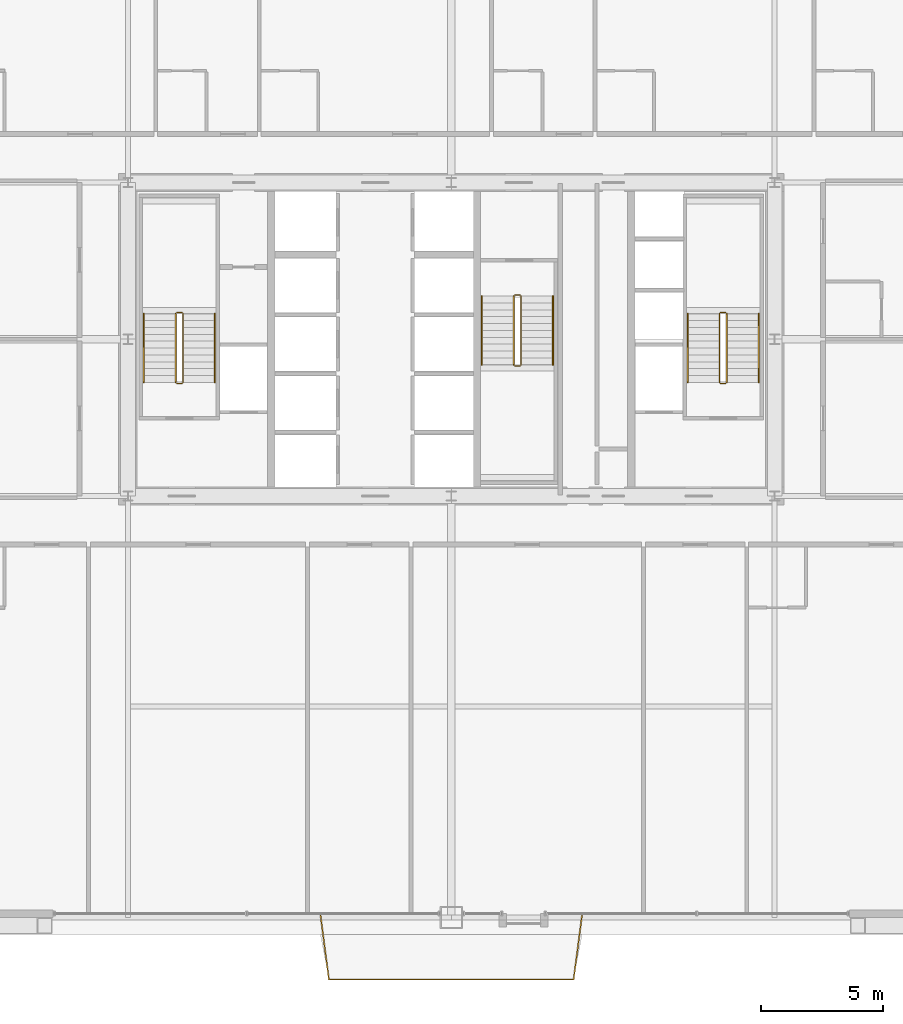
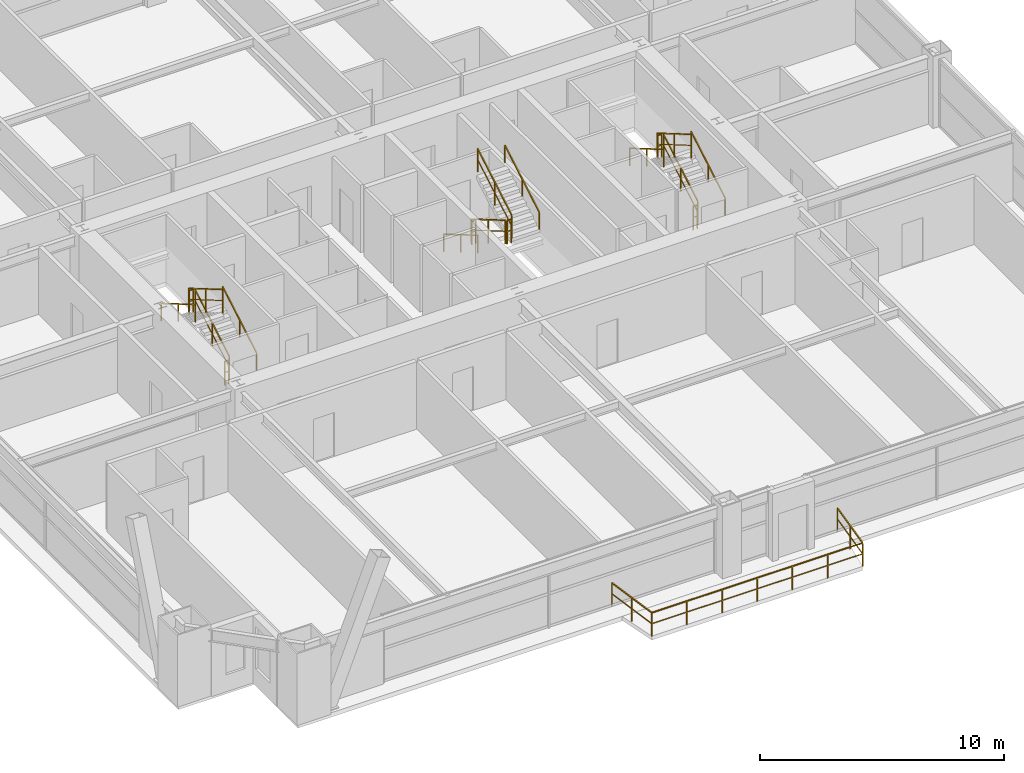
# One storey, part 41 of 41: 19 railings.
"""IFC4 building model written with IfcOpenShell, lengths in metres."""

from ifc_helpers import new_model, si_unit, direction, frame, origin, origin_2d, place, context, subcontext, project, spatial, rectangle, extrude, source, transform, mapped, material, layer, layer_set, type_object, element, save


model = new_model("IFC4")

# Units and contexts
model_context = context("Model", 3, precision=1e-05, world=origin(), true_north=direction((0.0, 1.0)))
body_context = subcontext(model_context, "Body", "Model", "MODEL_VIEW")
ifc_project = project(units=[si_unit("LENGTHUNIT", "METRE"), si_unit("AREAUNIT", "SQUARE_METRE"), si_unit("VOLUMEUNIT", "CUBIC_METRE"), si_unit("PLANEANGLEUNIT", "RADIAN"), si_unit("MASSUNIT", "GRAM", prefix="KILO"), si_unit("THERMODYNAMICTEMPERATUREUNIT", "KELVIN"), si_unit("POWERUNIT", "WATT")], contexts=[model_context])

# Site, building, storey
site_placement = place(None, origin())
site = spatial("IfcSite", under=ifc_project, at=site_placement, CompositionType="ELEMENT")
building_placement = place(site_placement, origin())
building = spatial("IfcBuilding", under=site, at=building_placement, Name="Yuzanri Waterfront Tower", CompositionType="ELEMENT")
storey_placement = place(building_placement, frame((0.0, 0.0, 152.39990234375)))
storey = spatial("IfcBuildingStorey", under=building, at=storey_placement, Name="L40", CompositionType="ELEMENT", Elevation=152.39990234375)

# Railings
ifc_material_1 = material(Name="Anodized Architectural Bronze", Category="metal")
ifc_layer_1 = layer(ifc_material_1, 0.080078125)
ifc_layer_set_1 = layer_set([ifc_layer_1], Name="Anodized Architectural Bronze")
railing_type_1 = type_object("IfcRailingType", Name="Laminated Glass and Bronze Balcony Guardrail 1200", PredefinedType="BALUSTRADE", material=ifc_layer_set_1)
shared_shape_1 = source(origin(), body_context, "Body", "SweptSolid", [
    extrude(rectangle(XDim=0.050048828125, YDim=0.050048828125, at=origin_2d()), frame((0.0, 0.0, 1.1748046875), z_axis=(0.129343042779, -0.991599907868, 0.0), x_axis=(0.991599907868, 0.129343042779, 0.0)), (0.0, 0.0, 1.0), 2.704833984375),
    extrude(rectangle(XDim=0.035888671875, YDim=0.030029296875, at=origin_2d()), frame((0.0, 0.0, 0.6240234375), z_axis=(0.129343042779, -0.991599907868, 0.0), x_axis=(0.991599907868, 0.129343042779, 0.0)), (0.0, 0.0, 1.0), 2.704833984375),
    extrude(rectangle(XDim=0.050048828125, YDim=0.050048828125, at=origin_2d()), frame((0.349853515625, -2.68212890625, 1.1748046875), z_axis=(1.0, 0.0, 0.0), x_axis=(0.0, 1.0, 0.0)), (0.0, 0.0, 1.0), 9.9921875),
    extrude(rectangle(XDim=0.035888671875, YDim=0.030029296875, at=origin_2d()), frame((0.349853515625, -2.68212890625, 0.6240234375), z_axis=(1.0, 0.0, 0.0), x_axis=(0.0, 1.0, 0.0)), (0.0, 0.0, 1.0), 9.9921875),
    extrude(rectangle(XDim=0.050048828125, YDim=0.050048828125, at=origin_2d()), frame((10.342041015625, -2.68212890625, 1.1748046875), z_axis=(0.129343042779, 0.991599907868, 0.0), x_axis=(-0.991599907868, 0.129343042779, 0.0)), (0.0, 0.0, 1.0), 2.704833984375),
    extrude(rectangle(XDim=0.035888671875, YDim=0.030029296875, at=origin_2d()), frame((10.342041015625, -2.68212890625, 0.6240234375), z_axis=(0.129343042779, 0.991599907868, 0.0), x_axis=(-0.991599907868, 0.129343042779, 0.0)), (0.0, 0.0, 1.0), 2.704833984375),
    extrude(rectangle(XDim=0.0458984375, YDim=0.0458984375, at=origin_2d()), origin(), (0.0, 0.0, 1.0), 1.14990234375),
    extrude(rectangle(XDim=0.0458984375, YDim=0.0458984375, at=origin_2d()), frame((0.1748046875, -1.341064453125, 0.0)), (0.0, 0.0, 1.0), 1.14990234375),
    extrude(rectangle(XDim=0.0458984375, YDim=0.0458984375, at=origin_2d()), frame((0.349853515625, -2.68212890625, 0.0)), (0.0, 0.0, 1.0), 1.14990234375),
    extrude(rectangle(XDim=0.0458984375, YDim=0.0458984375, at=origin_2d()), frame((2.01513671875, -2.68212890625, 0.0)), (0.0, 0.0, 1.0), 1.14990234375),
    extrude(rectangle(XDim=0.0458984375, YDim=0.0458984375, at=origin_2d()), frame((3.6806640625, -2.68212890625, 0.0)), (0.0, 0.0, 1.0), 1.14990234375),
    extrude(rectangle(XDim=0.0458984375, YDim=0.0458984375, at=origin_2d()), frame((5.345947265625, -2.68212890625, 0.0)), (0.0, 0.0, 1.0), 1.14990234375),
    extrude(rectangle(XDim=0.0458984375, YDim=0.0458984375, at=origin_2d()), frame((7.01123046875, -2.68212890625, 0.0)), (0.0, 0.0, 1.0), 1.14990234375),
    extrude(rectangle(XDim=0.0458984375, YDim=0.0458984375, at=origin_2d()), frame((8.6767578125, -2.68212890625, 0.0)), (0.0, 0.0, 1.0), 1.14990234375),
    extrude(rectangle(XDim=0.0458984375, YDim=0.0458984375, at=origin_2d()), frame((10.342041015625, -2.68212890625, 0.0)), (0.0, 0.0, 1.0), 1.14990234375),
    extrude(rectangle(XDim=0.0458984375, YDim=0.0458984375, at=origin_2d()), frame((10.51708984375, -1.341064453125, 0.0)), (0.0, 0.0, 1.0), 1.14990234375),
    extrude(rectangle(XDim=0.0458984375, YDim=0.0458984375, at=origin_2d()), frame((10.69189453125, 0.0, 0.0)), (0.0, 0.0, 1.0), 1.14990234375),
])
railing_1_placement = place(storey_placement, frame((31.654052734375, 2.35009765625, 0.0)))
element("IfcRailing", 1, at=railing_1_placement, inside=storey, type_object=railing_type_1, Name="L40 S Engawa Terrace Guardrail", PredefinedType="BALUSTRADE", context=body_context, shape_type="MappedRepresentation", body=[
    mapped(shared_shape_1, transform((0.0, 0.0, 0.0), scale=1.0)),
])
ifc_material_2 = material(Name="Painted Galvanized Fire Steel", Category="steel")
ifc_layer_2 = layer(ifc_material_2, 0.06005859375)
ifc_layer_set_2 = layer_set([ifc_layer_2], Name="Painted Galvanized Fire Steel")
railing_type_2 = type_object("IfcRailingType", Name="Painted Steel Stairwell Guardrail 1120", PredefinedType="GUARDRAIL", material=ifc_layer_set_2)
shared_shape_2 = source(origin(), body_context, "Body", "SweptSolid", [
    extrude(rectangle(XDim=0.050048828125, YDim=0.050048828125, at=origin_2d()), frame((0.0, 0.0, 1.1748046875), z_axis=(-1.0, 0.0, 0.0), x_axis=(0.0, -1.0, 0.0)), (0.0, 0.0, 1.0), 0.199951171875),
    extrude(rectangle(XDim=0.035888671875, YDim=0.030029296875, at=origin_2d()), frame((0.0, 0.0, 0.6240234375), z_axis=(-1.0, 0.0, 0.0), x_axis=(0.0, -1.0, 0.0)), (0.0, 0.0, 1.0), 0.199951171875),
    extrude(rectangle(XDim=0.0458984375, YDim=0.0458984375, at=origin_2d()), origin(), (0.0, 0.0, 1.0), 1.14990234375),
    extrude(rectangle(XDim=0.0458984375, YDim=0.0458984375, at=origin_2d()), frame((-0.199951171875, 0.0, 0.0)), (0.0, 0.0, 1.0), 1.14990234375),
])
for number, where, name in (
    (2, (26.0, 26.889892578125, 1.800048828125), "L40 ST-01 stair guard 2"),
    (3, (26.0, 23.989990234375, 0.0), "L40 ST-01 stair guard 4"),
    (4, (48.199951171875, 26.889892578125, 1.800048828125), "L40 ST-02 stair guard 2"),
    (5, (48.199951171875, 23.989990234375, 0.0), "L40 ST-02 stair guard 4"),
):
    element("IfcRailing", number, at=place(storey_placement, frame(where)), inside=storey, type_object=railing_type_2, Name=name, PredefinedType="GUARDRAIL", context=body_context, shape_type="MappedRepresentation", body=[
        mapped(shared_shape_2, transform((0.0, 0.0, 0.0), scale=1.0)),
    ])
shared_shape_3 = source(origin(), body_context, "Body", "SweptSolid", [
    extrude(rectangle(XDim=0.050048828125, YDim=0.050048828125, at=origin_2d()), frame((0.0, 0.0, 1.1748046875), z_axis=(0.0, 0.863393664356, 0.504530851732), x_axis=(-1.0, 0.0, 0.0)), (0.0, 0.0, 1.0), 3.2431640625),
    extrude(rectangle(XDim=0.035888671875, YDim=0.030029296875, at=origin_2d()), frame((0.0, 0.0, 0.6240234375), z_axis=(0.0, 0.863393664356, 0.504530851732), x_axis=(-1.0, 0.0, 0.0)), (0.0, 0.0, 1.0), 3.2431640625),
    extrude(rectangle(XDim=0.0458984375, YDim=0.0458984375, at=origin_2d()), origin(), (0.0, 0.0, 1.0), 1.14990234375),
    extrude(rectangle(XDim=0.0458984375, YDim=0.0458984375, at=origin_2d()), frame((0.0, 1.39990234375, 0.818115234375)), (0.0, 0.0, 1.0), 1.14990234375),
    extrude(rectangle(XDim=0.0458984375, YDim=0.0458984375, at=origin_2d()), frame((0.0, 2.800048828125, 1.63623046875)), (0.0, 0.0, 1.0), 1.14990234375),
])
for number, where, name in (
    (6, (26.050048828125, 24.0400390625, 0.163818359375), "L40 ST-01 stair guard 1"),
    (7, (48.25, 24.0400390625, 0.163818359375), "L40 ST-02 stair guard 1"),
):
    element("IfcRailing", number, at=place(storey_placement, frame(where)), inside=storey, type_object=railing_type_2, Name=name, PredefinedType="GUARDRAIL", context=body_context, shape_type="MappedRepresentation", body=[
        mapped(shared_shape_3, transform((0.0, 0.0, 0.0), scale=1.0)),
    ])
shared_shape_4 = source(origin(), body_context, "Body", "SweptSolid", [
    extrude(rectangle(XDim=0.050048828125, YDim=0.050048828125, at=origin_2d()), frame((0.0, 0.0, 1.1748046875), z_axis=(0.0, -0.863393664356, 0.504530851732), x_axis=(1.0, 0.0, 0.0)), (0.0, 0.0, 1.0), 3.2431640625),
    extrude(rectangle(XDim=0.035888671875, YDim=0.030029296875, at=origin_2d()), frame((0.0, 0.0, 0.6240234375), z_axis=(0.0, -0.863393664356, 0.504530851732), x_axis=(1.0, 0.0, 0.0)), (0.0, 0.0, 1.0), 3.2431640625),
    extrude(rectangle(XDim=0.0458984375, YDim=0.0458984375, at=origin_2d()), origin(), (0.0, 0.0, 1.0), 1.14990234375),
    extrude(rectangle(XDim=0.0458984375, YDim=0.0458984375, at=origin_2d()), frame((0.0, -1.39990234375, 0.818115234375)), (0.0, 0.0, 1.0), 1.14990234375),
    extrude(rectangle(XDim=0.0458984375, YDim=0.0458984375, at=origin_2d()), frame((0.0, -2.800048828125, 1.63623046875)), (0.0, 0.0, 1.0), 1.14990234375),
])
railing_2_placement = place(storey_placement, frame((39.550048828125, 27.56005859375, 0.163818359375)))
element("IfcRailing", 8, at=railing_2_placement, inside=storey, type_object=railing_type_2, Name="L40 ST-03 stair guard 1", PredefinedType="GUARDRAIL", context=body_context, shape_type="MappedRepresentation", body=[
    mapped(shared_shape_4, transform((0.0, 0.0, 0.0), scale=1.0)),
])
ifc_material_3 = material(Name="Anodized Architectural Bronze", Category="metal")
ifc_layer_3 = layer(ifc_material_3, 0.050048828125)
ifc_layer_set_3 = layer_set([ifc_layer_3], Name="Anodized Architectural Bronze")
railing_type_3 = type_object("IfcRailingType", Name="Brushed Bronze Stair Pitch Handrail 920", PredefinedType="HANDRAIL", material=ifc_layer_set_3)
shared_shape_5 = source(origin(), body_context, "Body", "SweptSolid", [
    extrude(rectangle(XDim=0.050048828125, YDim=0.050048828125, at=origin_2d()), frame((0.0, 0.0, 0.875), z_axis=(0.0, 0.863393664356, 0.504530851732), x_axis=(-1.0, 0.0, 0.0)), (0.0, 0.0, 1.0), 3.2431640625),
    extrude(rectangle(XDim=0.0458984375, YDim=0.0458984375, at=origin_2d()), origin(), (0.0, 0.0, 1.0), 0.849853515625),
    extrude(rectangle(XDim=0.0458984375, YDim=0.0458984375, at=origin_2d()), frame((0.0, 1.39990234375, 0.818115234375)), (0.0, 0.0, 1.0), 0.849853515625),
    extrude(rectangle(XDim=0.0458984375, YDim=0.0458984375, at=origin_2d()), frame((0.0, 2.800048828125, 1.63623046875)), (0.0, 0.0, 1.0), 0.849853515625),
])
for number, where, name in (
    (9, (27.35009765625, 24.0400390625, 0.163818359375), "L40 ST-01 stair handrail 1"),
    (10, (49.550048828125, 24.0400390625, 0.163818359375), "L40 ST-02 stair handrail 1"),
):
    element("IfcRailing", number, at=place(storey_placement, frame(where)), inside=storey, type_object=railing_type_3, Name=name, PredefinedType="HANDRAIL", context=body_context, shape_type="MappedRepresentation", body=[
        mapped(shared_shape_5, transform((0.0, 0.0, 0.0), scale=1.0)),
    ])
shared_shape_6 = source(origin(), body_context, "Body", "SweptSolid", [
    extrude(rectangle(XDim=0.050048828125, YDim=0.050048828125, at=origin_2d()), frame((0.0, 0.0, 0.875), z_axis=(0.0, -0.863393664356, 0.504530851732), x_axis=(1.0, 0.0, 0.0)), (0.0, 0.0, 1.0), 3.2431640625),
    extrude(rectangle(XDim=0.0458984375, YDim=0.0458984375, at=origin_2d()), origin(), (0.0, 0.0, 1.0), 0.849853515625),
    extrude(rectangle(XDim=0.0458984375, YDim=0.0458984375, at=origin_2d()), frame((0.0, -1.39990234375, 0.818115234375)), (0.0, 0.0, 1.0), 0.849853515625),
    extrude(rectangle(XDim=0.0458984375, YDim=0.0458984375, at=origin_2d()), frame((0.0, -2.800048828125, 1.63623046875)), (0.0, 0.0, 1.0), 0.849853515625),
])
railing_3_placement = place(storey_placement, frame((38.25, 27.56005859375, 0.163818359375)))
element("IfcRailing", 11, at=railing_3_placement, inside=storey, type_object=railing_type_3, Name="L40 ST-03 stair handrail 1", PredefinedType="HANDRAIL", context=body_context, shape_type="MappedRepresentation", body=[
    mapped(shared_shape_6, transform((0.0, 0.0, 0.0), scale=1.0)),
])
shared_shape_7 = source(origin(), body_context, "Body", "SweptSolid", [
    extrude(rectangle(XDim=0.050048828125, YDim=0.050048828125, at=origin_2d()), frame((0.0, 0.0, 1.1748046875), z_axis=(0.0, 0.863360870873, 0.504586966384), x_axis=(-1.0, 0.0, 0.0)), (0.0, 0.0, 1.0), 3.2431640625),
    extrude(rectangle(XDim=0.035888671875, YDim=0.030029296875, at=origin_2d()), frame((0.0, 0.0, 0.6240234375), z_axis=(0.0, 0.863360870873, 0.504586966384), x_axis=(-1.0, 0.0, 0.0)), (0.0, 0.0, 1.0), 3.2431640625),
    extrude(rectangle(XDim=0.0458984375, YDim=0.0458984375, at=origin_2d()), origin(), (0.0, 0.0, 1.0), 1.14990234375),
    extrude(rectangle(XDim=0.0458984375, YDim=0.0458984375, at=origin_2d()), frame((0.0, 1.39990234375, 0.818359375)), (0.0, 0.0, 1.0), 1.14990234375),
    extrude(rectangle(XDim=0.0458984375, YDim=0.0458984375, at=origin_2d()), frame((0.0, 2.800048828125, 1.636474609375)), (0.0, 0.0, 1.0), 1.14990234375),
])
railing_4_placement = place(storey_placement, frame((39.85009765625, 24.760009765625, 1.963623046875)))
element("IfcRailing", 12, at=railing_4_placement, inside=storey, type_object=railing_type_2, Name="L40 ST-03 stair guard 3", PredefinedType="GUARDRAIL", context=body_context, shape_type="MappedRepresentation", body=[
    mapped(shared_shape_7, transform((0.0, 0.0, 0.0), scale=1.0)),
])
shared_shape_8 = source(origin(), body_context, "Body", "SweptSolid", [
    extrude(rectangle(XDim=0.050048828125, YDim=0.050048828125, at=origin_2d()), frame((0.0, 0.0, 1.1748046875), z_axis=(0.0, -0.863360870873, 0.504586966384), x_axis=(1.0, 0.0, 0.0)), (0.0, 0.0, 1.0), 3.2431640625),
    extrude(rectangle(XDim=0.035888671875, YDim=0.030029296875, at=origin_2d()), frame((0.0, 0.0, 0.6240234375), z_axis=(0.0, -0.863360870873, 0.504586966384), x_axis=(1.0, 0.0, 0.0)), (0.0, 0.0, 1.0), 3.2431640625),
    extrude(rectangle(XDim=0.0458984375, YDim=0.0458984375, at=origin_2d()), origin(), (0.0, 0.0, 1.0), 1.14990234375),
    extrude(rectangle(XDim=0.0458984375, YDim=0.0458984375, at=origin_2d()), frame((0.0, -1.39990234375, 0.818359375)), (0.0, 0.0, 1.0), 1.14990234375),
    extrude(rectangle(XDim=0.0458984375, YDim=0.0458984375, at=origin_2d()), frame((0.0, -2.800048828125, 1.636474609375)), (0.0, 0.0, 1.0), 1.14990234375),
])
for number, where, name in (
    (13, (25.75, 26.840087890625, 1.963623046875), "L40 ST-01 stair guard 3"),
    (14, (47.949951171875, 26.840087890625, 1.963623046875), "L40 ST-02 stair guard 3"),
):
    element("IfcRailing", number, at=place(storey_placement, frame(where)), inside=storey, type_object=railing_type_2, Name=name, PredefinedType="GUARDRAIL", context=body_context, shape_type="MappedRepresentation", body=[
        mapped(shared_shape_8, transform((0.0, 0.0, 0.0), scale=1.0)),
    ])
shared_shape_9 = source(origin(), body_context, "Body", "SweptSolid", [
    extrude(rectangle(XDim=0.050048828125, YDim=0.050048828125, at=origin_2d()), frame((0.0, 0.0, 0.875), z_axis=(0.0, 0.863360870873, 0.504586966384), x_axis=(-1.0, 0.0, 0.0)), (0.0, 0.0, 1.0), 3.2431640625),
    extrude(rectangle(XDim=0.0458984375, YDim=0.0458984375, at=origin_2d()), origin(), (0.0, 0.0, 1.0), 0.849853515625),
    extrude(rectangle(XDim=0.0458984375, YDim=0.0458984375, at=origin_2d()), frame((0.0, 1.39990234375, 0.818359375)), (0.0, 0.0, 1.0), 0.849853515625),
    extrude(rectangle(XDim=0.0458984375, YDim=0.0458984375, at=origin_2d()), frame((0.0, 2.800048828125, 1.636474609375)), (0.0, 0.0, 1.0), 0.849853515625),
])
railing_5_placement = place(storey_placement, frame((41.14990234375, 24.760009765625, 1.963623046875)))
element("IfcRailing", 15, at=railing_5_placement, inside=storey, type_object=railing_type_3, Name="L40 ST-03 stair handrail 2", PredefinedType="HANDRAIL", context=body_context, shape_type="MappedRepresentation", body=[
    mapped(shared_shape_9, transform((0.0, 0.0, 0.0), scale=1.0)),
])
shared_shape_10 = source(origin(), body_context, "Body", "SweptSolid", [
    extrude(rectangle(XDim=0.050048828125, YDim=0.050048828125, at=origin_2d()), frame((0.0, 0.0, 0.875), z_axis=(0.0, -0.863360870873, 0.504586966384), x_axis=(1.0, 0.0, 0.0)), (0.0, 0.0, 1.0), 3.2431640625),
    extrude(rectangle(XDim=0.0458984375, YDim=0.0458984375, at=origin_2d()), origin(), (0.0, 0.0, 1.0), 0.849853515625),
    extrude(rectangle(XDim=0.0458984375, YDim=0.0458984375, at=origin_2d()), frame((0.0, -1.39990234375, 0.818359375)), (0.0, 0.0, 1.0), 0.849853515625),
    extrude(rectangle(XDim=0.0458984375, YDim=0.0458984375, at=origin_2d()), frame((0.0, -2.800048828125, 1.636474609375)), (0.0, 0.0, 1.0), 0.849853515625),
])
for number, where, name in (
    (16, (24.449951171875, 26.840087890625, 1.963623046875), "L40 ST-01 stair handrail 2"),
    (17, (46.64990234375, 26.840087890625, 1.963623046875), "L40 ST-02 stair handrail 2"),
):
    element("IfcRailing", number, at=place(storey_placement, frame(where)), inside=storey, type_object=railing_type_3, Name=name, PredefinedType="HANDRAIL", context=body_context, shape_type="MappedRepresentation", body=[
        mapped(shared_shape_10, transform((0.0, 0.0, 0.0), scale=1.0)),
    ])
shared_shape_11 = source(origin(), body_context, "Body", "SweptSolid", [
    extrude(rectangle(XDim=0.050048828125, YDim=0.050048828125, at=origin_2d()), frame((0.0, 0.0, 1.1748046875), z_axis=(1.0, 0.0, 0.0), x_axis=(0.0, 1.0, 0.0)), (0.0, 0.0, 1.0), 0.199951171875),
    extrude(rectangle(XDim=0.035888671875, YDim=0.030029296875, at=origin_2d()), frame((0.0, 0.0, 0.6240234375), z_axis=(1.0, 0.0, 0.0), x_axis=(0.0, 1.0, 0.0)), (0.0, 0.0, 1.0), 0.199951171875),
    extrude(rectangle(XDim=0.0458984375, YDim=0.0458984375, at=origin_2d()), origin(), (0.0, 0.0, 1.0), 1.14990234375),
    extrude(rectangle(XDim=0.0458984375, YDim=0.0458984375, at=origin_2d()), frame((0.199951171875, 0.0, 0.0)), (0.0, 0.0, 1.0), 1.14990234375),
])
for number, where, name in (
    (18, (39.60009765625, 24.7099609375, 1.800048828125), "L40 ST-03 stair guard 2"),
    (19, (39.60009765625, 27.610107421875, 0.0), "L40 ST-03 stair guard 4"),
):
    element("IfcRailing", number, at=place(storey_placement, frame(where)), inside=storey, type_object=railing_type_2, Name=name, PredefinedType="GUARDRAIL", context=body_context, shape_type="MappedRepresentation", body=[
        mapped(shared_shape_11, transform((0.0, 0.0, 0.0), scale=1.0)),
    ])

save(model, "model.ifc")
